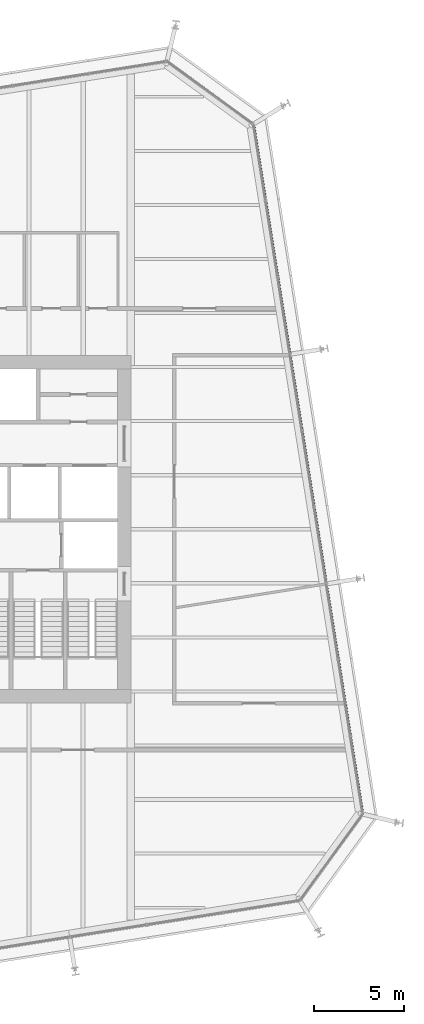
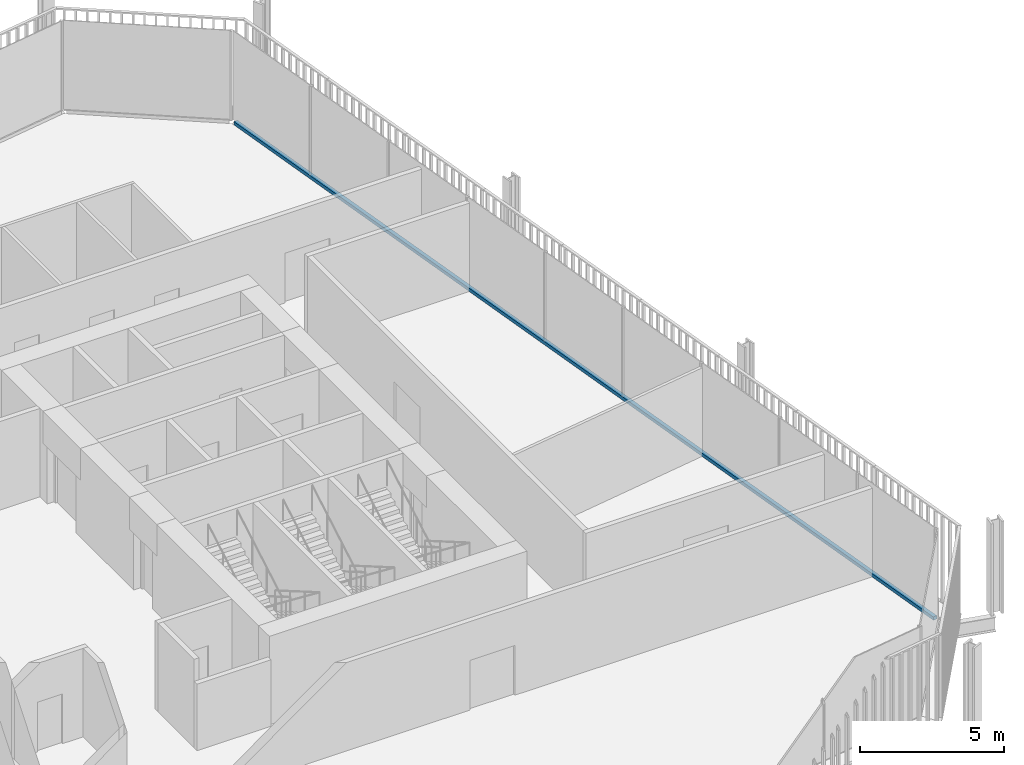
# One storey, part 14 of 21: 1 member, 1 element without a shape of its own.
"""IFC4 building model written with IfcOpenShell, lengths in metres."""

from ifc_helpers import new_model, si_unit, direction, frame, origin, origin_2d, place, context, subcontext, project, spatial, rectangle, extrude, material, layer, layer_set, material_profile, profile_set, type_object, element, aggregate, save


model = new_model("IFC4")

# Units and contexts
model_context = context("Model", 3, precision=1e-05, world=origin(), true_north=direction((0.0, 1.0)))
body_context = subcontext(model_context, "Body", "Model", "MODEL_VIEW")
ifc_project = project(units=[si_unit("LENGTHUNIT", "METRE"), si_unit("AREAUNIT", "SQUARE_METRE"), si_unit("VOLUMEUNIT", "CUBIC_METRE"), si_unit("PLANEANGLEUNIT", "RADIAN"), si_unit("MASSUNIT", "GRAM", prefix="KILO")], contexts=[model_context])

# Site, building, storey
site_placement = place(None, origin())
site = spatial("IfcSite", under=ifc_project, at=site_placement, CompositionType="ELEMENT")
building_placement = place(site_placement, origin())
building = spatial("IfcBuilding", under=site, at=building_placement, Name="Millrace Tower", CompositionType="ELEMENT")
storey_placement = place(building_placement, frame((0.0, 0.0, 156.800048828125)))
storey = spatial("IfcBuildingStorey", under=building, at=storey_placement, Name="L35", CompositionType="ELEMENT", Elevation=156.800048828125)

# Curtain wall, member
ifc_material_1 = material(Name="Aluminium and glass", Category="aluminium")
ifc_layer = layer(ifc_material_1, 0.14990234375)
ifc_layer_set = layer_set([ifc_layer], Name="Aluminium and glass")
curtain_wall_type = type_object("IfcCurtainWallType", Name="CW-1 office vision curtain wall", PredefinedType="NOTDEFINED", material=ifc_layer_set)
curtain_wall_placement = place(storey_placement, origin())
curtain_wall = element("IfcCurtainWall", 1, at=curtain_wall_placement, inside=storey, type_object=curtain_wall_type, Name="Curtain wall C-F04 L35", PredefinedType="NOTDEFINED")
ifc_material_2 = material(Name="Aluminium", Category="aluminium")
ifc_material_profile = material_profile(ifc_material_2, rectangle(XDim=0.14990234375, YDim=0.139892578125, at=origin_2d()))
ifc_profile_set = profile_set([ifc_material_profile], Name="Aluminium")
member_type = type_object("IfcMemberType", Name="CW-1 office vision curtain wall transom", PredefinedType="USERDEFINED", material=ifc_profile_set)
member_placement = place(storey_placement, frame((27.49609375, -15.675048828125, 0.070068359375), z_axis=(-0.156434402447, 0.987688350509, 0.0), x_axis=(-0.987688350509, -0.156434402447, 0.0)))
member = element("IfcMember", 2, at=member_placement, type_object=member_type, Name="CW1 transom C-F04.1", ObjectType="TRANSOM", PredefinedType="USERDEFINED", context=body_context, shape_type="SweptSolid", body=[
    extrude(rectangle(XDim=0.14990234375, YDim=0.139892578125, at=origin_2d()), origin(), (0.0, 0.0, 1.0), 38.499755859375),
])
aggregate(curtain_wall, [member])

save(model, "model.ifc")
